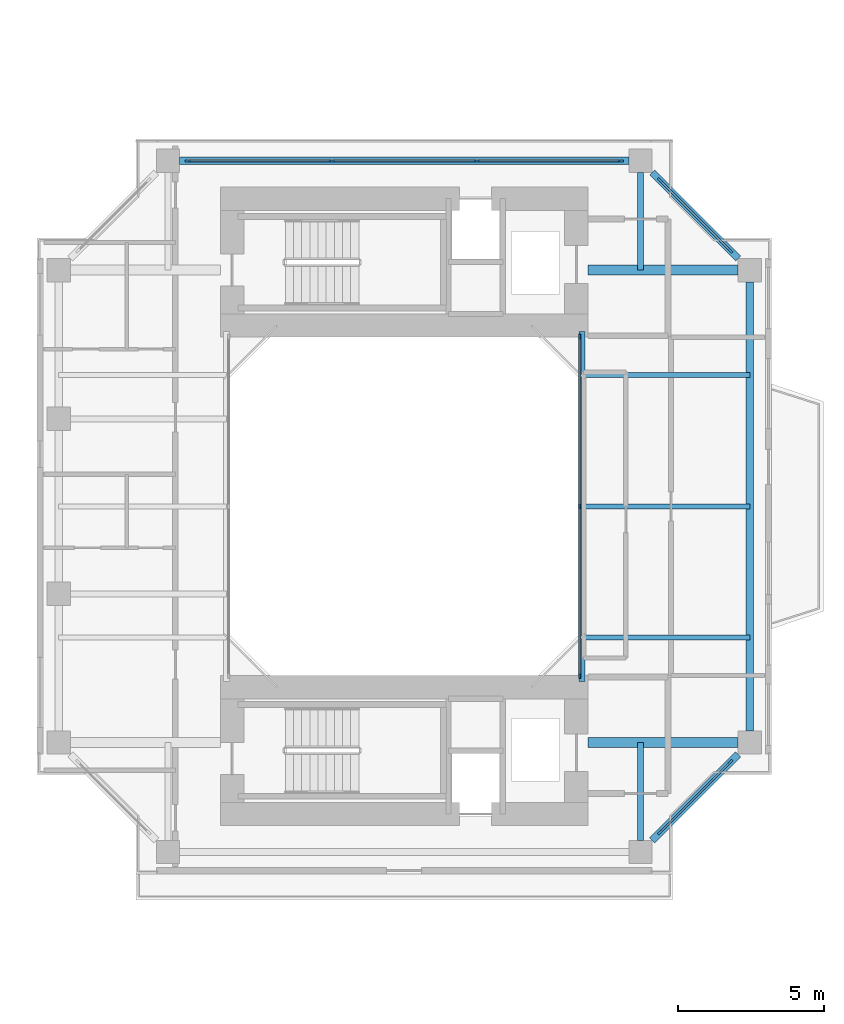
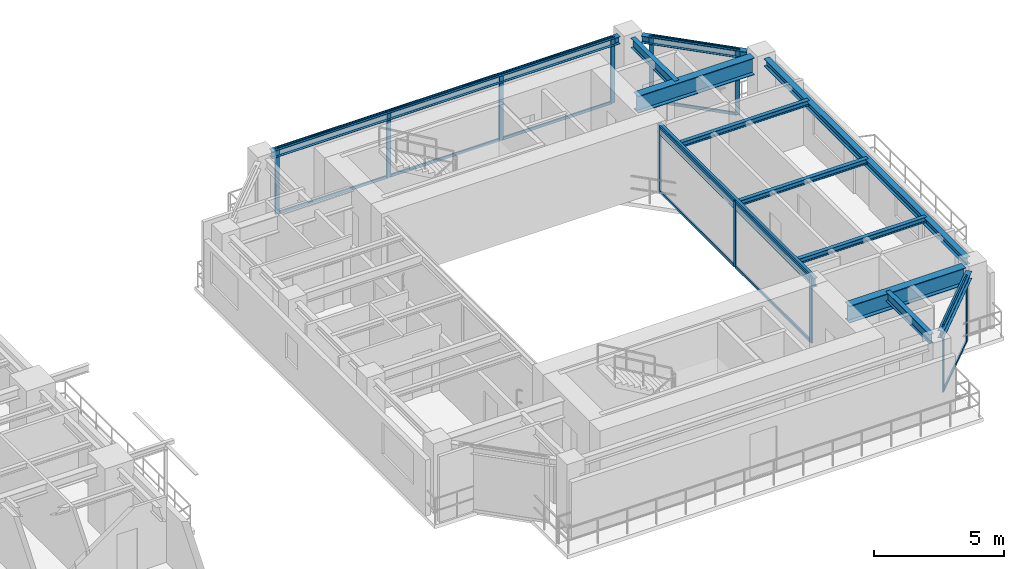
# One storey, part 10 of 24: 25 members, 12 beams, 4 elements without a shape of their own.
"""IFC4 building model written with IfcOpenShell, lengths in metres."""

from ifc_helpers import new_model, si_unit, direction, frame, origin, origin_2d, place, context, subcontext, project, spatial, rectangle, i_section, extrude, source, transform, mapped, material, layer, layer_set, material_profile, profile_set, type_object, element, aggregate, save


model = new_model("IFC4")

# Units and contexts
model_context = context("Model", 3, precision=1e-05, world=origin(), true_north=direction((0.0, 1.0)))
body_context = subcontext(model_context, "Body", "Model", "MODEL_VIEW")
ifc_project = project(units=[si_unit("LENGTHUNIT", "METRE"), si_unit("AREAUNIT", "SQUARE_METRE"), si_unit("VOLUMEUNIT", "CUBIC_METRE"), si_unit("PLANEANGLEUNIT", "RADIAN"), si_unit("MASSUNIT", "GRAM", prefix="KILO"), si_unit("THERMODYNAMICTEMPERATUREUNIT", "KELVIN"), si_unit("POWERUNIT", "WATT")], contexts=[model_context])

# Site, building, storey
site_placement = place(None, origin())
site = spatial("IfcSite", under=ifc_project, at=site_placement, CompositionType="ELEMENT")
building_placement = place(site_placement, origin())
building = spatial("IfcBuilding", under=site, at=building_placement, Name="Qiaomeng Ring Towers", CompositionType="ELEMENT")
storey_placement = place(building_placement, frame((0.0, 0.0, 69.75)))
storey = spatial("IfcBuildingStorey", under=building, at=storey_placement, Name="L19", CompositionType="ELEMENT", Elevation=69.75)

# Beams
ifc_material_1 = material(Name="Steel Q355B", Category="steel")
ifc_material_profile_1 = material_profile(ifc_material_1, i_section(OverallWidth=0.199951171875, OverallDepth=0.39990234375, WebThickness=0.008056640625, FlangeThickness=0.012939453125, FilletRadius=0.01611328125, at=origin_2d()), Name="HN 400x200x8x13")
ifc_profile_set_1 = profile_set([ifc_material_profile_1], Name="Steel Q355B")
beam_type_1 = type_object("IfcBeamType", Name="STR-BM-HN400", PredefinedType="SPANDREL", material=ifc_profile_set_1)
shared_shape_1 = source(origin(), body_context, "Body", "SweptSolid", [
    extrude(i_section(OverallWidth=0.199951171875, OverallDepth=0.39990234375, WebThickness=0.008056640625, FlangeThickness=0.012939453125, FilletRadius=0.01611328125, at=origin_2d()), origin(), (0.0, 0.0, 1.0), 12.0),
])
beam_placement = place(storey_placement, frame((66.60009765625, 17.0, 2.8701171875), z_axis=(0.0, 1.0, 0.0), x_axis=(-1.0, 0.0, 0.0)))
element("IfcBeam", 1, at=beam_placement, inside=storey, type_object=beam_type_1, Name="L19 beam STR-BM-L19-T2-WELL-E", PredefinedType="SPANDREL", context=body_context, shape_type="MappedRepresentation", body=[
    mapped(shared_shape_1, transform((0.0, 0.0, 0.0), x_axis=(1.0, 0.0, 0.0), y_axis=(0.0, 1.0, 0.0), z_axis=(0.0, 0.0, 1.0), scale=1.0)),
])
ifc_material_profile_2 = material_profile(ifc_material_1, i_section(OverallWidth=0.25, OverallDepth=0.340087890625, WebThickness=0.009033203125, FlangeThickness=0.013916015625, FilletRadius=0.02001953125, at=origin_2d()), Name="HM 340x250x9x14")
ifc_profile_set_2 = profile_set([ifc_material_profile_2], Name="Steel Q355B")
beam_type_2 = type_object("IfcBeamType", Name="STR-BM-HM340", PredefinedType="SPANDREL", material=ifc_profile_set_2)
shared_shape_2 = source(origin(), body_context, "Body", "SweptSolid", [
    extrude(i_section(OverallWidth=0.25, OverallDepth=0.340087890625, WebThickness=0.009033203125, FlangeThickness=0.013916015625, FilletRadius=0.02001953125, at=origin_2d()), origin(), (0.0, 0.0, 1.0), 15.40185546875),
])
for number, where, z_axis, x_axis, name in (
    (2, (72.35009765625, 15.299072265625, 2.89990234375), (0.0, 1.0, 0.0), (-1.0, 0.0, 0.0), "L19 beam STR-SP-L19-T2-E1-E2"),
    (3, (68.200927734375, 34.85009765625, 2.89990234375), (-1.0, 0.0, 0.0), (0.0, -1.0, 0.0), "L19 beam STR-SP-L19-T2-N2-N1"),
):
    element("IfcBeam", number, at=place(storey_placement, frame(where, z_axis=z_axis, x_axis=x_axis)), inside=storey, type_object=beam_type_2, Name=name, PredefinedType="SPANDREL", context=body_context, shape_type="MappedRepresentation", body=[
        mapped(shared_shape_2, transform((0.0, 0.0, 0.0), x_axis=(1.0, 0.0, 0.0), y_axis=(0.0, 1.0, 0.0), z_axis=(0.0, 0.0, 1.0), scale=1.0)),
    ])
shared_shape_3 = source(origin(), body_context, "Body", "SweptSolid", [
    extrude(i_section(OverallWidth=0.25, OverallDepth=0.340087890625, WebThickness=0.009033203125, FlangeThickness=0.013916015625, FilletRadius=0.02001953125, at=origin_2d()), origin(), (0.0, 0.0, 1.0), 4.173828125),
])
for number, where, z_axis, x_axis, name in (
    (4, (68.999267578125, 11.54931640625, 2.89990234375), (0.707106781187, 0.707106781187, 0.0), (-0.707106781187, 0.707106781187, 0.0), "L19 beam STR-SP-L19-T2-S2-E1"),
    (5, (71.95068359375, 31.499267578125, 2.89990234375), (-0.707106781187, 0.707106781187, 0.0), (-0.707106781187, -0.707106781187, 0.0), "L19 beam STR-SP-L19-T2-E2-N2"),
):
    element("IfcBeam", number, at=place(storey_placement, frame(where, z_axis=z_axis, x_axis=x_axis)), inside=storey, type_object=beam_type_2, Name=name, PredefinedType="SPANDREL", context=body_context, shape_type="MappedRepresentation", body=[
        mapped(shared_shape_3, transform((0.0, 0.0, 0.0), x_axis=(1.0, 0.0, 0.0), y_axis=(0.0, 1.0, 0.0), z_axis=(0.0, 0.0, 1.0), scale=1.0)),
    ])
ifc_material_2 = material(Name="Steel Q390GJC", Category="steel")
ifc_material_profile_3 = material_profile(ifc_material_2, i_section(OverallWidth=0.35009765625, OverallDepth=0.800048828125, WebThickness=0.01611328125, FlangeThickness=0.028076171875, at=origin_2d()), Name="WH 800x350x16x28")
ifc_profile_set_3 = profile_set([ifc_material_profile_3], Name="Steel Q390GJC")
beam_type_3 = type_object("IfcBeamType", Name="STR-BM-WH800", PredefinedType="BEAM", material=ifc_profile_set_3)
shared_shape_4 = source(origin(), body_context, "Body", "SweptSolid", [
    extrude(i_section(OverallWidth=0.35009765625, OverallDepth=0.800048828125, WebThickness=0.01611328125, FlangeThickness=0.028076171875, at=origin_2d()), origin(), (0.0, 0.0, 1.0), 5.15087890625),
])
for number, where, z_axis, x_axis, name in (
    (6, (66.800048828125, 14.89990234375, 2.669921875), (1.0, 0.0, 0.0), (0.0, 1.0, 0.0), "L19 beam STR-BM-L19-T2-RAD-E1"),
    (7, (66.800048828125, 31.10009765625, 2.669921875), (1.0, 0.0, 0.0), (0.0, 1.0, 0.0), "L19 beam STR-BM-L19-T2-RAD-E2"),
):
    element("IfcBeam", number, at=place(storey_placement, frame(where, z_axis=z_axis, x_axis=x_axis)), inside=storey, type_object=beam_type_3, Name=name, PredefinedType="BEAM", context=body_context, shape_type="MappedRepresentation", body=[
        mapped(shared_shape_4, transform((0.0, 0.0, 0.0), x_axis=(1.0, 0.0, 0.0), y_axis=(0.0, 1.0, 0.0), z_axis=(0.0, 0.0, 1.0), scale=1.0)),
    ])
ifc_material_profile_4 = material_profile(ifc_material_1, i_section(OverallWidth=0.199951171875, OverallDepth=0.449951171875, WebThickness=0.009033203125, FlangeThickness=0.013916015625, FilletRadius=0.01806640625, at=origin_2d()), Name="HN 450x200x9x14")
ifc_profile_set_4 = profile_set([ifc_material_profile_4], Name="Steel Q355B")
beam_type_4 = type_object("IfcBeamType", Name="STR-BM-HN450", PredefinedType="SPANDREL", material=ifc_profile_set_4)
shared_shape_5 = source(origin(), body_context, "Body", "SweptSolid", [
    extrude(i_section(OverallWidth=0.199951171875, OverallDepth=0.449951171875, WebThickness=0.009033203125, FlangeThickness=0.013916015625, FilletRadius=0.01806640625, at=origin_2d()), origin(), (0.0, 0.0, 1.0), 3.350830078125),
])
for number, where, z_axis, x_axis, name in (
    (8, (68.60009765625, 34.450927734375, 2.844970703125), (0.0, -1.0, 0.0), (1.0, 0.0, 0.0), "L19 beam STR-BM-L19-T2-RAD-N2"),
    (9, (68.60009765625, 11.549072265625, 2.844970703125), (0.0, 1.0, 0.0), (-1.0, 0.0, 0.0), "L19 beam STR-BM-L19-T2-RAD-S2"),
):
    element("IfcBeam", number, at=place(storey_placement, frame(where, z_axis=z_axis, x_axis=x_axis)), inside=storey, type_object=beam_type_4, Name=name, PredefinedType="SPANDREL", context=body_context, shape_type="MappedRepresentation", body=[
        mapped(shared_shape_5, transform((0.0, 0.0, 0.0), x_axis=(1.0, 0.0, 0.0), y_axis=(0.0, 1.0, 0.0), z_axis=(0.0, 0.0, 1.0), scale=1.0)),
    ])
ifc_material_profile_5 = material_profile(ifc_material_1, i_section(OverallWidth=0.175048828125, OverallDepth=0.243896484375, WebThickness=0.007080078125, FlangeThickness=0.010986328125, FilletRadius=0.01611328125, at=origin_2d()), Name="HM 244x175x7x11")
ifc_profile_set_5 = profile_set([ifc_material_profile_5], Name="Steel Q355B")
beam_type_5 = type_object("IfcBeamType", Name="STR-BM-HM244", PredefinedType="JOIST", material=ifc_profile_set_5)
shared_shape_6 = source(origin(), body_context, "Body", "SweptSolid", [
    extrude(i_section(OverallWidth=0.175048828125, OverallDepth=0.243896484375, WebThickness=0.007080078125, FlangeThickness=0.010986328125, FilletRadius=0.01611328125, at=origin_2d()), origin(), (0.0, 0.0, 1.0), 5.75),
])
for number, where, z_axis, x_axis, name in (
    (10, (66.60009765625, 18.5, 2.947998046875), (1.0, 0.0, 0.0), (0.0, 1.0, 0.0), "L19 beam STR-JST-L19-T2E-1"),
    (11, (66.60009765625, 23.0, 2.947998046875), (1.0, 0.0, 0.0), (0.0, 1.0, 0.0), "L19 beam STR-JST-L19-T2E-2"),
    (12, (66.60009765625, 27.5, 2.947998046875), (1.0, 0.0, 0.0), (0.0, 1.0, 0.0), "L19 beam STR-JST-L19-T2E-3"),
):
    element("IfcBeam", number, at=place(storey_placement, frame(where, z_axis=z_axis, x_axis=x_axis)), inside=storey, type_object=beam_type_5, Name=name, PredefinedType="JOIST", context=body_context, shape_type="MappedRepresentation", body=[
        mapped(shared_shape_6, transform((0.0, 0.0, 0.0), x_axis=(1.0, 0.0, 0.0), y_axis=(0.0, 1.0, 0.0), z_axis=(0.0, 0.0, 1.0), scale=1.0)),
    ])

# Curtain wall, members
ifc_material_3 = material(Name="Fluorocarbon dark-grey aluminium", Category="aluminium")
ifc_layer_1 = layer(ifc_material_3, 0.139892578125, Name="Fluorocarbon dark-grey aluminium")
ifc_layer_set_1 = layer_set([ifc_layer_1], Name="Fluorocarbon dark-grey aluminium")
curtain_wall_type_1 = type_object("IfcCurtainWallType", Name="ARC-CW-4", PredefinedType="NOTDEFINED", material=ifc_layer_set_1)
curtain_wall_1_placement = place(storey_placement, origin())
curtain_wall_1 = element("IfcCurtainWall", 13, at=curtain_wall_1_placement, inside=storey, type_object=curtain_wall_type_1, Name="L19 Curtain Wall CW4", PredefinedType="NOTDEFINED")
ifc_material_profile_6 = material_profile(ifc_material_3, rectangle(XDim=0.06494140625, YDim=0.159912109375, at=origin_2d()), Name="ALU MULL 65x160")
ifc_profile_set_6 = profile_set([ifc_material_profile_6], Name="Fluorocarbon dark-grey aluminium")
member_type_1 = type_object("IfcMemberType", Name="ARC-CWM-140", PredefinedType="MULLION", material=ifc_profile_set_6)
shared_shape_7 = source(origin(), body_context, "Body", "SweptSolid", [
    extrude(rectangle(XDim=0.06494140625, YDim=0.159912109375, at=origin_2d()), origin(), (0.0, 0.0, 1.0), 3.070068359375),
])
member_1_placement = place(storey_placement, frame((66.52001953125, 17.1826171875, 0.0), z_axis=(0.0, 0.0, 1.0), x_axis=(-1.0, 0.0, 0.0)))
member_1 = element("IfcMember", 14, at=member_1_placement, type_object=member_type_1, Name="CW4 mullion 1", PredefinedType="MULLION", context=body_context, shape_type="MappedRepresentation", body=[
    mapped(shared_shape_7, transform((0.0, 0.0, 0.0), x_axis=(1.0, 0.0, 0.0), y_axis=(0.0, 1.0, 0.0), z_axis=(0.0, 0.0, 1.0), scale=1.0)),
])
member_2_placement = place(storey_placement, frame((66.52001953125, 23.0, 0.0), z_axis=(0.0, 0.0, 1.0), x_axis=(-1.0, 0.0, 0.0)))
member_2 = element("IfcMember", 15, at=member_2_placement, type_object=member_type_1, Name="CW4 mullion 2", PredefinedType="MULLION", context=body_context, shape_type="MappedRepresentation", body=[
    mapped(shared_shape_7, transform((0.0, 0.0, 0.0), x_axis=(1.0, 0.0, 0.0), y_axis=(0.0, 1.0, 0.0), z_axis=(0.0, 0.0, 1.0), scale=1.0)),
])
member_3_placement = place(storey_placement, frame((66.52001953125, 28.8173828125, 0.0), z_axis=(0.0, 0.0, 1.0), x_axis=(-1.0, 0.0, 0.0)))
member_3 = element("IfcMember", 16, at=member_3_placement, type_object=member_type_1, Name="CW4 mullion 3", PredefinedType="MULLION", context=body_context, shape_type="MappedRepresentation", body=[
    mapped(shared_shape_7, transform((0.0, 0.0, 0.0), x_axis=(1.0, 0.0, 0.0), y_axis=(0.0, 1.0, 0.0), z_axis=(0.0, 0.0, 1.0), scale=1.0)),
])
ifc_material_profile_7 = material_profile(ifc_material_3, rectangle(XDim=0.06494140625, YDim=0.1298828125, at=origin_2d()), Name="ALU TRAN 65x130")
ifc_profile_set_7 = profile_set([ifc_material_profile_7], Name="Fluorocarbon dark-grey aluminium")
member_type_2 = type_object("IfcMemberType", Name="ARC-CWT-120", PredefinedType="USERDEFINED", material=ifc_profile_set_7)
shared_shape_8 = source(origin(), body_context, "Body", "SweptSolid", [
    extrude(rectangle(XDim=0.06494140625, YDim=0.1298828125, at=origin_2d()), origin(), (0.0, 0.0, 1.0), 5.75244140625),
])
member_4_placement = place(storey_placement, frame((66.52001953125, 17.215087890625, 0.032470703125), z_axis=(0.0, 1.0, 0.0), x_axis=(-1.0, 0.0, 0.0)))
member_4 = element("IfcMember", 17, at=member_4_placement, type_object=member_type_2, Name="CW4 transom 1.1", ObjectType="TRANSOM", PredefinedType="USERDEFINED", context=body_context, shape_type="MappedRepresentation", body=[
    mapped(shared_shape_8, transform((0.0, 0.0, 0.0), x_axis=(1.0, 0.0, 0.0), y_axis=(0.0, 1.0, 0.0), z_axis=(0.0, 0.0, 1.0), scale=1.0)),
])
member_5_placement = place(storey_placement, frame((66.52001953125, 17.215087890625, 3.03759765625), z_axis=(0.0, 1.0, 0.0), x_axis=(-1.0, 0.0, 0.0)))
member_5 = element("IfcMember", 18, at=member_5_placement, type_object=member_type_2, Name="CW4 transom 1.2", ObjectType="TRANSOM", PredefinedType="USERDEFINED", context=body_context, shape_type="MappedRepresentation", body=[
    mapped(shared_shape_8, transform((0.0, 0.0, 0.0), x_axis=(1.0, 0.0, 0.0), y_axis=(0.0, 1.0, 0.0), z_axis=(0.0, 0.0, 1.0), scale=1.0)),
])
member_6_placement = place(storey_placement, frame((66.52001953125, 23.032470703125, 0.032470703125), z_axis=(0.0, 1.0, 0.0), x_axis=(-1.0, 0.0, 0.0)))
member_6 = element("IfcMember", 19, at=member_6_placement, type_object=member_type_2, Name="CW4 transom 2.1", ObjectType="TRANSOM", PredefinedType="USERDEFINED", context=body_context, shape_type="MappedRepresentation", body=[
    mapped(shared_shape_8, transform((0.0, 0.0, 0.0), x_axis=(1.0, 0.0, 0.0), y_axis=(0.0, 1.0, 0.0), z_axis=(0.0, 0.0, 1.0), scale=1.0)),
])
member_7_placement = place(storey_placement, frame((66.52001953125, 23.032470703125, 3.03759765625), z_axis=(0.0, 1.0, 0.0), x_axis=(-1.0, 0.0, 0.0)))
member_7 = element("IfcMember", 20, at=member_7_placement, type_object=member_type_2, Name="CW4 transom 2.2", ObjectType="TRANSOM", PredefinedType="USERDEFINED", context=body_context, shape_type="MappedRepresentation", body=[
    mapped(shared_shape_8, transform((0.0, 0.0, 0.0), x_axis=(1.0, 0.0, 0.0), y_axis=(0.0, 1.0, 0.0), z_axis=(0.0, 0.0, 1.0), scale=1.0)),
])
aggregate(curtain_wall_1, [member_1, member_2, member_3, member_4, member_5, member_6, member_7])

ifc_layer_2 = layer(ifc_material_3, 0.14990234375, Name="Fluorocarbon dark-grey aluminium")
ifc_layer_set_2 = layer_set([ifc_layer_2], Name="Fluorocarbon dark-grey aluminium")
curtain_wall_type_2 = type_object("IfcCurtainWallType", Name="ARC-CW-5", PredefinedType="NOTDEFINED", material=ifc_layer_set_2)
curtain_wall_2_placement = place(storey_placement, origin())
curtain_wall_2 = element("IfcCurtainWall", 21, at=curtain_wall_2_placement, inside=storey, type_object=curtain_wall_type_2, Name="L19 Curtain Wall CW5", PredefinedType="NOTDEFINED")
ifc_material_profile_8 = material_profile(ifc_material_3, rectangle(XDim=0.070068359375, YDim=0.179931640625, at=origin_2d()), Name="ALU MULL 70x180")
ifc_profile_set_8 = profile_set([ifc_material_profile_8], Name="Fluorocarbon dark-grey aluminium")
member_type_3 = type_object("IfcMemberType", Name="ARC-CWM-160", PredefinedType="MULLION", material=ifc_profile_set_8)
shared_shape_9 = source(origin(), body_context, "Body", "SweptSolid", [
    extrude(rectangle(XDim=0.070068359375, YDim=0.179931640625, at=origin_2d()), origin(), (0.0, 0.0, 1.0), 3.070068359375),
])
member_8_placement = place(storey_placement, frame((53.074951171875, 34.85009765625, 0.0), z_axis=(0.0, 0.0, 1.0), x_axis=(0.0, 1.0, 0.0)))
member_8 = element("IfcMember", 22, at=member_8_placement, type_object=member_type_3, Name="CW5 mullion 1", PredefinedType="MULLION", context=body_context, shape_type="MappedRepresentation", body=[
    mapped(shared_shape_9, transform((0.0, 0.0, 0.0), x_axis=(1.0, 0.0, 0.0), y_axis=(0.0, 1.0, 0.0), z_axis=(0.0, 0.0, 1.0), scale=1.0)),
])
member_9_placement = place(storey_placement, frame((58.013427734375, 34.85009765625, 0.0), z_axis=(0.0, 0.0, 1.0), x_axis=(0.0, 1.0, 0.0)))
member_9 = element("IfcMember", 23, at=member_9_placement, type_object=member_type_3, Name="CW5 mullion 2", PredefinedType="MULLION", context=body_context, shape_type="MappedRepresentation", body=[
    mapped(shared_shape_9, transform((0.0, 0.0, 0.0), x_axis=(1.0, 0.0, 0.0), y_axis=(0.0, 1.0, 0.0), z_axis=(0.0, 0.0, 1.0), scale=1.0)),
])
member_10_placement = place(storey_placement, frame((62.986572265625, 34.85009765625, 0.0), z_axis=(0.0, 0.0, 1.0), x_axis=(0.0, 1.0, 0.0)))
member_10 = element("IfcMember", 24, at=member_10_placement, type_object=member_type_3, Name="CW5 mullion 3", PredefinedType="MULLION", context=body_context, shape_type="MappedRepresentation", body=[
    mapped(shared_shape_9, transform((0.0, 0.0, 0.0), x_axis=(1.0, 0.0, 0.0), y_axis=(0.0, 1.0, 0.0), z_axis=(0.0, 0.0, 1.0), scale=1.0)),
])
member_11_placement = place(storey_placement, frame((67.925048828125, 34.85009765625, 0.0), z_axis=(0.0, 0.0, 1.0), x_axis=(0.0, 1.0, 0.0)))
member_11 = element("IfcMember", 25, at=member_11_placement, type_object=member_type_3, Name="CW5 mullion 4", PredefinedType="MULLION", context=body_context, shape_type="MappedRepresentation", body=[
    mapped(shared_shape_9, transform((0.0, 0.0, 0.0), x_axis=(1.0, 0.0, 0.0), y_axis=(0.0, 1.0, 0.0), z_axis=(0.0, 0.0, 1.0), scale=1.0)),
])

curtain_wall_3_placement = place(storey_placement, origin())
curtain_wall_3 = element("IfcCurtainWall", 26, at=curtain_wall_3_placement, inside=storey, type_object=curtain_wall_type_2, Name="L19 Curtain Wall CW5", PredefinedType="NOTDEFINED")
member_12_placement = place(storey_placement, frame((69.2646484375, 11.814697265625, 0.0), z_axis=(0.0, 0.0, 1.0), x_axis=(-0.707106781187, 0.707106781187, 0.0)))
member_12 = element("IfcMember", 27, at=member_12_placement, type_object=member_type_3, Name="CW5 mullion 1", PredefinedType="MULLION", context=body_context, shape_type="MappedRepresentation", body=[
    mapped(shared_shape_9, transform((0.0, 0.0, 0.0), x_axis=(1.0, 0.0, 0.0), y_axis=(0.0, 1.0, 0.0), z_axis=(0.0, 0.0, 1.0), scale=1.0)),
])
member_13_placement = place(storey_placement, frame((71.685302734375, 14.2353515625, 0.0), z_axis=(0.0, 0.0, 1.0), x_axis=(-0.707106781187, 0.707106781187, 0.0)))
member_13 = element("IfcMember", 28, at=member_13_placement, type_object=member_type_3, Name="CW5 mullion 2", PredefinedType="MULLION", context=body_context, shape_type="MappedRepresentation", body=[
    mapped(shared_shape_9, transform((0.0, 0.0, 0.0), x_axis=(1.0, 0.0, 0.0), y_axis=(0.0, 1.0, 0.0), z_axis=(0.0, 0.0, 1.0), scale=1.0)),
])

curtain_wall_4_placement = place(storey_placement, origin())
curtain_wall_4 = element("IfcCurtainWall", 29, at=curtain_wall_4_placement, inside=storey, type_object=curtain_wall_type_2, Name="L19 Curtain Wall CW5", PredefinedType="NOTDEFINED")
member_14_placement = place(storey_placement, frame((71.685302734375, 31.7646484375, 0.0), z_axis=(0.0, 0.0, 1.0), x_axis=(-0.707106781187, -0.707106781187, 0.0)))
member_14 = element("IfcMember", 30, at=member_14_placement, type_object=member_type_3, Name="CW5 mullion 1", PredefinedType="MULLION", context=body_context, shape_type="MappedRepresentation", body=[
    mapped(shared_shape_9, transform((0.0, 0.0, 0.0), x_axis=(1.0, 0.0, 0.0), y_axis=(0.0, 1.0, 0.0), z_axis=(0.0, 0.0, 1.0), scale=1.0)),
])
member_15_placement = place(storey_placement, frame((69.2646484375, 34.185302734375, 0.0), z_axis=(0.0, 0.0, 1.0), x_axis=(-0.707106781187, -0.707106781187, 0.0)))
member_15 = element("IfcMember", 31, at=member_15_placement, type_object=member_type_3, Name="CW5 mullion 2", PredefinedType="MULLION", context=body_context, shape_type="MappedRepresentation", body=[
    mapped(shared_shape_9, transform((0.0, 0.0, 0.0), x_axis=(1.0, 0.0, 0.0), y_axis=(0.0, 1.0, 0.0), z_axis=(0.0, 0.0, 1.0), scale=1.0)),
])

# Member
shared_shape_10 = source(origin(), body_context, "Body", "SweptSolid", [
    extrude(rectangle(XDim=0.06494140625, YDim=0.1298828125, at=origin_2d()), origin(), (0.0, 0.0, 1.0), 4.8681640625),
])
member_16_placement = place(storey_placement, frame((53.110107421875, 34.85009765625, 0.032470703125), z_axis=(1.0, 0.0, 0.0), x_axis=(0.0, 1.0, 0.0)))
member_16 = element("IfcMember", 32, at=member_16_placement, type_object=member_type_2, Name="CW5 transom 1.1", ObjectType="TRANSOM", PredefinedType="USERDEFINED", context=body_context, shape_type="MappedRepresentation", body=[
    mapped(shared_shape_10, transform((0.0, 0.0, 0.0), x_axis=(1.0, 0.0, 0.0), y_axis=(0.0, 1.0, 0.0), z_axis=(0.0, 0.0, 1.0), scale=1.0)),
])

member_17_placement = place(storey_placement, frame((53.110107421875, 34.85009765625, 3.03759765625), z_axis=(1.0, 0.0, 0.0), x_axis=(0.0, 1.0, 0.0)))
member_17 = element("IfcMember", 33, at=member_17_placement, type_object=member_type_2, Name="CW5 transom 1.2", ObjectType="TRANSOM", PredefinedType="USERDEFINED", context=body_context, shape_type="MappedRepresentation", body=[
    mapped(shared_shape_10, transform((0.0, 0.0, 0.0), x_axis=(1.0, 0.0, 0.0), y_axis=(0.0, 1.0, 0.0), z_axis=(0.0, 0.0, 1.0), scale=1.0)),
])

member_18_placement = place(storey_placement, frame((63.021728515625, 34.85009765625, 0.032470703125), z_axis=(1.0, 0.0, 0.0), x_axis=(0.0, 1.0, 0.0)))
member_18 = element("IfcMember", 34, at=member_18_placement, type_object=member_type_2, Name="CW5 transom 3.1", ObjectType="TRANSOM", PredefinedType="USERDEFINED", context=body_context, shape_type="MappedRepresentation", body=[
    mapped(shared_shape_10, transform((0.0, 0.0, 0.0), x_axis=(1.0, 0.0, 0.0), y_axis=(0.0, 1.0, 0.0), z_axis=(0.0, 0.0, 1.0), scale=1.0)),
])

member_19_placement = place(storey_placement, frame((63.021728515625, 34.85009765625, 3.03759765625), z_axis=(1.0, 0.0, 0.0), x_axis=(0.0, 1.0, 0.0)))
member_19 = element("IfcMember", 35, at=member_19_placement, type_object=member_type_2, Name="CW5 transom 3.2", ObjectType="TRANSOM", PredefinedType="USERDEFINED", context=body_context, shape_type="MappedRepresentation", body=[
    mapped(shared_shape_10, transform((0.0, 0.0, 0.0), x_axis=(1.0, 0.0, 0.0), y_axis=(0.0, 1.0, 0.0), z_axis=(0.0, 0.0, 1.0), scale=1.0)),
])

shared_shape_11 = source(origin(), body_context, "Body", "SweptSolid", [
    extrude(rectangle(XDim=0.06494140625, YDim=0.1298828125, at=origin_2d()), origin(), (0.0, 0.0, 1.0), 4.9033203125),
])
member_20_placement = place(storey_placement, frame((58.04833984375, 34.85009765625, 0.032470703125), z_axis=(1.0, 0.0, 0.0), x_axis=(0.0, 1.0, 0.0)))
member_20 = element("IfcMember", 36, at=member_20_placement, type_object=member_type_2, Name="CW5 transom 2.1", ObjectType="TRANSOM", PredefinedType="USERDEFINED", context=body_context, shape_type="MappedRepresentation", body=[
    mapped(shared_shape_11, transform((0.0, 0.0, 0.0), x_axis=(1.0, 0.0, 0.0), y_axis=(0.0, 1.0, 0.0), z_axis=(0.0, 0.0, 1.0), scale=1.0)),
])

member_21_placement = place(storey_placement, frame((58.04833984375, 34.85009765625, 3.03759765625), z_axis=(1.0, 0.0, 0.0), x_axis=(0.0, 1.0, 0.0)))
member_21 = element("IfcMember", 37, at=member_21_placement, type_object=member_type_2, Name="CW5 transom 2.2", ObjectType="TRANSOM", PredefinedType="USERDEFINED", context=body_context, shape_type="MappedRepresentation", body=[
    mapped(shared_shape_11, transform((0.0, 0.0, 0.0), x_axis=(1.0, 0.0, 0.0), y_axis=(0.0, 1.0, 0.0), z_axis=(0.0, 0.0, 1.0), scale=1.0)),
])

aggregate(curtain_wall_2, [member_8, member_9, member_10, member_11, member_16, member_17, member_20, member_21, member_18, member_19])

shared_shape_12 = source(origin(), body_context, "Body", "SweptSolid", [
    extrude(rectangle(XDim=0.06494140625, YDim=0.1298828125, at=origin_2d()), origin(), (0.0, 0.0, 1.0), 3.352783203125),
])
member_22_placement = place(storey_placement, frame((69.28955078125, 11.839599609375, 0.032470703125), z_axis=(0.707106781187, 0.707106781187, 0.0), x_axis=(-0.707106781187, 0.707106781187, 0.0)))
member_22 = element("IfcMember", 38, at=member_22_placement, type_object=member_type_2, Name="CW5 transom 1.1", ObjectType="TRANSOM", PredefinedType="USERDEFINED", context=body_context, shape_type="MappedRepresentation", body=[
    mapped(shared_shape_12, transform((0.0, 0.0, 0.0), x_axis=(1.0, 0.0, 0.0), y_axis=(0.0, 1.0, 0.0), z_axis=(0.0, 0.0, 1.0), scale=1.0)),
])

member_23_placement = place(storey_placement, frame((69.28955078125, 11.839599609375, 3.03759765625), z_axis=(0.707106781187, 0.707106781187, 0.0), x_axis=(-0.707106781187, 0.707106781187, 0.0)))
member_23 = element("IfcMember", 39, at=member_23_placement, type_object=member_type_2, Name="CW5 transom 1.2", ObjectType="TRANSOM", PredefinedType="USERDEFINED", context=body_context, shape_type="MappedRepresentation", body=[
    mapped(shared_shape_12, transform((0.0, 0.0, 0.0), x_axis=(1.0, 0.0, 0.0), y_axis=(0.0, 1.0, 0.0), z_axis=(0.0, 0.0, 1.0), scale=1.0)),
])

aggregate(curtain_wall_3, [member_12, member_13, member_22, member_23])

member_24_placement = place(storey_placement, frame((71.660400390625, 31.78955078125, 0.032470703125), z_axis=(-0.707106781187, 0.707106781187, 0.0), x_axis=(-0.707106781187, -0.707106781187, 0.0)))
member_24 = element("IfcMember", 40, at=member_24_placement, type_object=member_type_2, Name="CW5 transom 1.1", ObjectType="TRANSOM", PredefinedType="USERDEFINED", context=body_context, shape_type="MappedRepresentation", body=[
    mapped(shared_shape_12, transform((0.0, 0.0, 0.0), x_axis=(1.0, 0.0, 0.0), y_axis=(0.0, 1.0, 0.0), z_axis=(0.0, 0.0, 1.0), scale=1.0)),
])

member_25_placement = place(storey_placement, frame((71.660400390625, 31.78955078125, 3.03759765625), z_axis=(-0.707106781187, 0.707106781187, 0.0), x_axis=(-0.707106781187, -0.707106781187, 0.0)))
member_25 = element("IfcMember", 41, at=member_25_placement, type_object=member_type_2, Name="CW5 transom 1.2", ObjectType="TRANSOM", PredefinedType="USERDEFINED", context=body_context, shape_type="MappedRepresentation", body=[
    mapped(shared_shape_12, transform((0.0, 0.0, 0.0), x_axis=(1.0, 0.0, 0.0), y_axis=(0.0, 1.0, 0.0), z_axis=(0.0, 0.0, 1.0), scale=1.0)),
])

aggregate(curtain_wall_4, [member_14, member_15, member_24, member_25])

save(model, "model.ifc")
